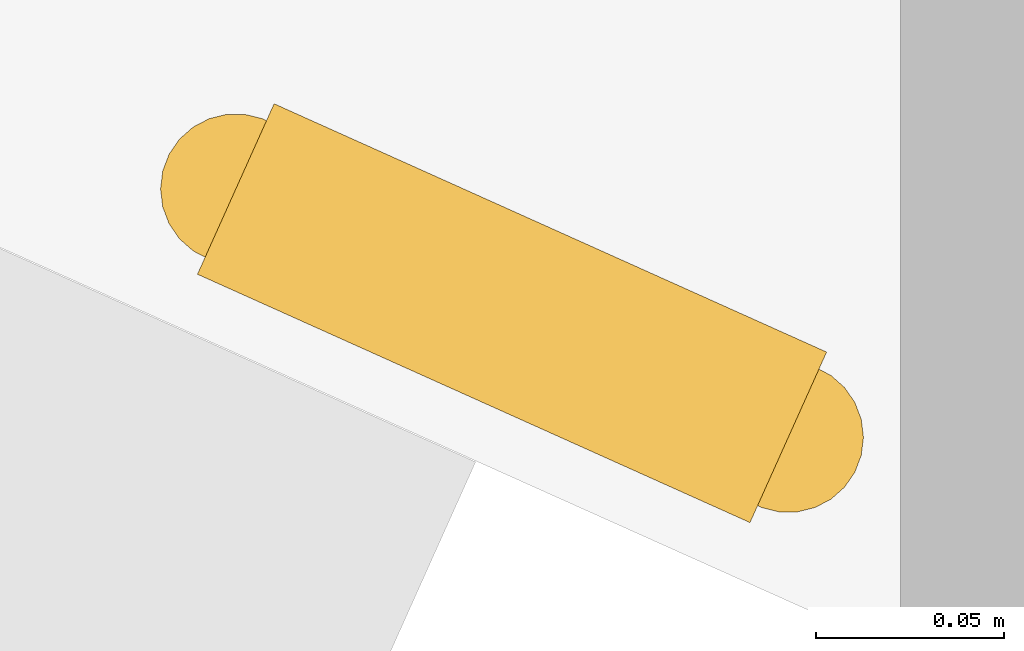
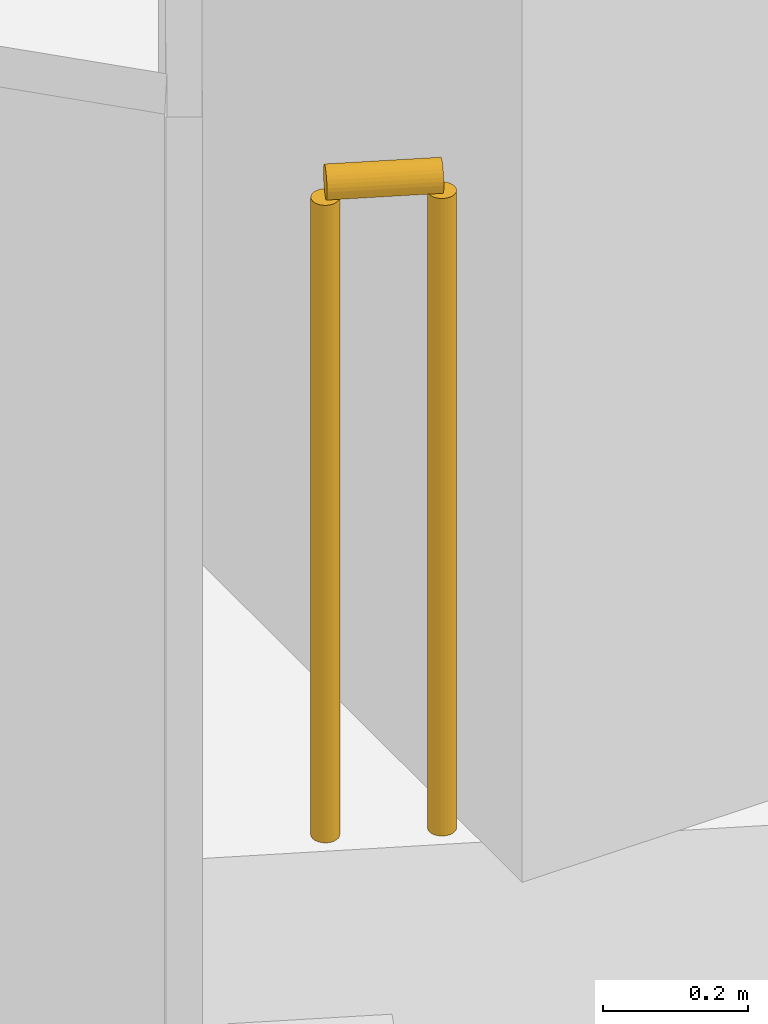
# One storey, part 31 of 34: 1 railing.
"""IFC4 building model written with IfcOpenShell, lengths in metres."""

from ifc_helpers import new_model, si_unit, direction, frame, origin, origin_2d, place, context, subcontext, project, spatial, circle, extrude, material, type_object, element, save


model = new_model("IFC4")

# Units and contexts
model_context = context("Model", 3, precision=1e-05, world=origin(), true_north=direction((0.0, 1.0)))
body_context = subcontext(model_context, "Body", "Model", "MODEL_VIEW")
ifc_project = project(units=[si_unit("LENGTHUNIT", "METRE"), si_unit("AREAUNIT", "SQUARE_METRE"), si_unit("VOLUMEUNIT", "CUBIC_METRE"), si_unit("PLANEANGLEUNIT", "RADIAN"), si_unit("MASSUNIT", "GRAM", prefix="KILO")], contexts=[model_context])

# Site, building, storey
site_placement = place(None, origin())
site = spatial("IfcSite", under=ifc_project, at=site_placement, CompositionType="ELEMENT")
building_placement = place(site_placement, origin())
building = spatial("IfcBuilding", under=site, at=building_placement, Name="Orlundy Tower", CompositionType="ELEMENT")
storey_placement = place(building_placement, frame((0.0, 0.0, 130.699951171875)))
storey = spatial("IfcBuildingStorey", under=building, at=storey_placement, Name="L33", CompositionType="ELEMENT", Elevation=130.699951171875)

# Railing
ifc_material = material(Name="Stainless steel bronze finish", Category="steel")
railing_type = type_object("IfcRailingType", Name="TG1 terrace guard", PredefinedType="GUARDRAIL", material=ifc_material)
railing_placement = place(storey_placement, frame((-34.001953125, -51.010498046875, 0.0)))
element("IfcRailing", 1, at=railing_placement, inside=storey, type_object=railing_type, Name="Guard TG-L33-E00", PredefinedType="GUARDRAIL", context=body_context, shape_type="SweptSolid", body=[
    extrude(circle(Radius=0.02490234375, at=origin_2d()), frame((0.0, 0.0, 1.09521484375), z_axis=(-0.912119519622, 0.409924361223, 0.0), x_axis=(-0.409924361223, -0.912119519622, 0.0)), (0.0, 0.0, 1.0), 0.161376953125),
    extrude(circle(Radius=0.02001953125, at=origin_2d()), origin(), (0.0, 0.0, 1.0), 1.070068359375),
    extrude(circle(Radius=0.02001953125, at=origin_2d()), frame((-0.147216796875, 0.066162109375, 0.0)), (0.0, 0.0, 1.0), 1.070068359375),
])

save(model, "model.ifc")
